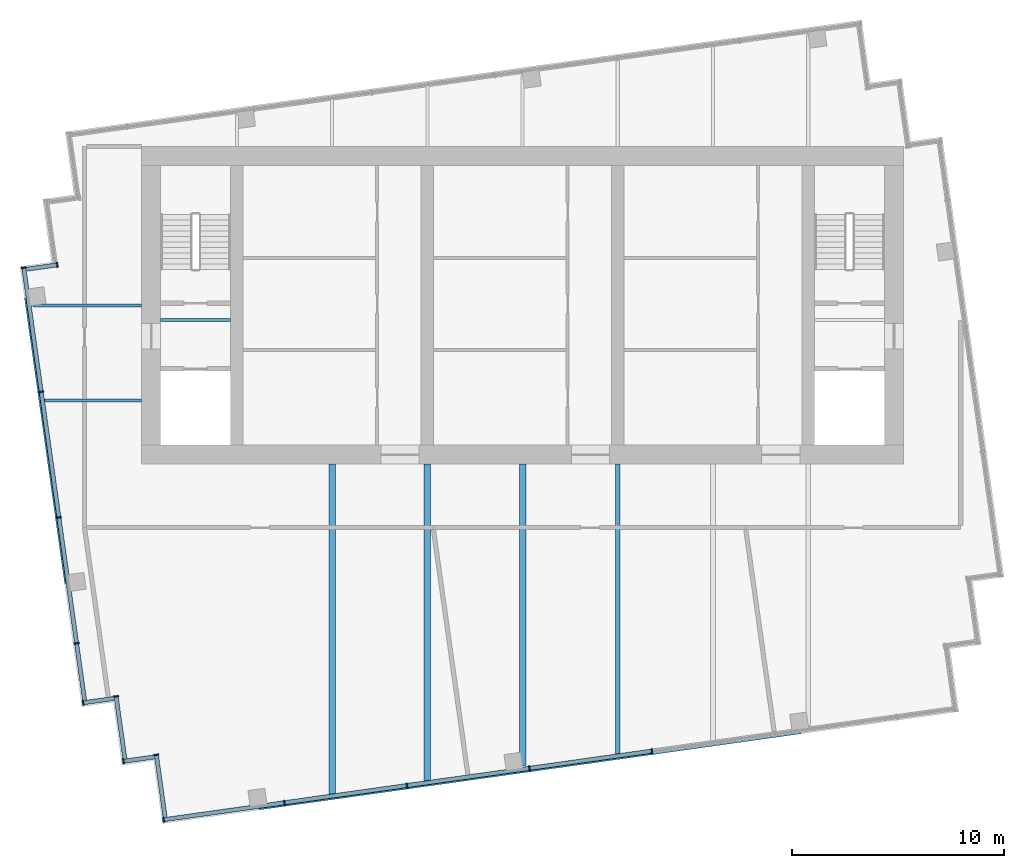
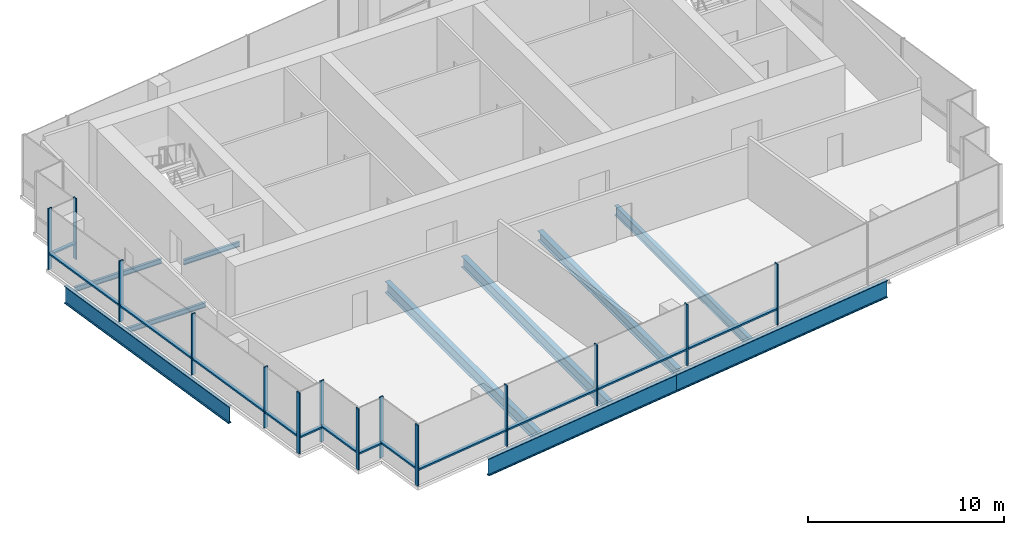
# One storey, part 2 of 9: 27 members, 10 beams, 7 elements without a shape of their own.
"""IFC4 building model written with IfcOpenShell, lengths in metres."""

from ifc_helpers import new_model, si_unit, direction, frame, origin, origin_2d, place, context, subcontext, project, spatial, rectangle, i_section, extrude, material, layer, layer_set, material_profile, profile_set, type_object, element, aggregate, save


model = new_model("IFC4")

# Units and contexts
model_context = context("Model", 3, precision=1e-05, world=origin(), true_north=direction((0.0, 1.0)))
body_context = subcontext(model_context, "Body", "Model", "MODEL_VIEW")
ifc_project = project(units=[si_unit("LENGTHUNIT", "METRE"), si_unit("AREAUNIT", "SQUARE_METRE"), si_unit("VOLUMEUNIT", "CUBIC_METRE"), si_unit("PLANEANGLEUNIT", "RADIAN"), si_unit("MASSUNIT", "GRAM", prefix="KILO")], contexts=[model_context])

# Site, building, storey
site_placement = place(None, origin())
site = spatial("IfcSite", under=ifc_project, at=site_placement, CompositionType="ELEMENT")
building_placement = place(site_placement, origin())
building = spatial("IfcBuilding", under=site, at=building_placement, Name="Rattan Terrace Tower", CompositionType="ELEMENT")
storey_placement = place(building_placement, frame((0.0, 0.0, 296.300048828125)))
storey = spatial("IfcBuildingStorey", under=building, at=storey_placement, Name="C02", CompositionType="ELEMENT", Elevation=296.300048828125)

# Beams
ifc_material_1 = material(Name="Steel S460", Category="steel")
ifc_material_profile_1 = material_profile(ifc_material_1, i_section(OverallWidth=0.179931640625, OverallDepth=1.10009765625, WebThickness=0.01611328125, FlangeThickness=0.050048828125, at=origin_2d()), Name="PG 1100x180-16-50")
ifc_profile_set_1 = profile_set([ifc_material_profile_1], Name="Steel S460")
beam_type_1 = type_object("IfcBeamType", Name="Frame edge girder PG 1100x180-16-50", PredefinedType="SPANDREL", material=ifc_profile_set_1)
beam_1_placement = place(storey_placement, frame((-12.45703125, -23.7509765625, -0.75), z_axis=(0.990268332234, 0.139171226104, 0.0), x_axis=(-0.139171226104, 0.990268332234, 0.0)))
element("IfcBeam", 1, at=beam_1_placement, inside=storey, type_object=beam_type_1, Name="gdr-C02-001", PredefinedType="SPANDREL", context=body_context, shape_type="SweptSolid", body=[
    extrude(i_section(OverallWidth=0.179931640625, OverallDepth=1.10009765625, WebThickness=0.01611328125, FlangeThickness=0.050048828125, at=origin_2d()), origin(), (0.0, 0.0, 1.0), 12.21484375),
])
beam_2_placement = place(storey_placement, frame((-0.361083984375, -22.051025390625, -0.75), z_axis=(0.990271390556, 0.139149462974, 0.0), x_axis=(-0.139149462974, 0.990271390556, 0.0)))
element("IfcBeam", 2, at=beam_2_placement, inside=storey, type_object=beam_type_1, Name="gdr-C02-002", PredefinedType="SPANDREL", context=body_context, shape_type="SweptSolid", body=[
    extrude(i_section(OverallWidth=0.179931640625, OverallDepth=1.10009765625, WebThickness=0.01611328125, FlangeThickness=0.050048828125, at=origin_2d()), origin(), (0.0, 0.0, 1.0), 13.632568359375),
])
beam_3_placement = place(storey_placement, frame((-23.448974609375, 0.361083984375, -0.75), z_axis=(0.139219709116, -0.990261517274, 0.0), x_axis=(0.990261517274, 0.139219709116, 0.0)))
element("IfcBeam", 3, at=beam_3_placement, inside=storey, type_object=beam_type_1, Name="gdr-C02-003", PredefinedType="SPANDREL", context=body_context, shape_type="SweptSolid", body=[
    extrude(i_section(OverallWidth=0.179931640625, OverallDepth=1.10009765625, WebThickness=0.01611328125, FlangeThickness=0.050048828125, at=origin_2d()), origin(), (0.0, 0.0, 1.0), 13.6328125),
])
ifc_material_2 = material(Name="Steel S355", Category="steel")
ifc_material_profile_2 = material_profile(ifc_material_2, i_section(OverallWidth=0.300048828125, OverallDepth=0.60009765625, WebThickness=0.015380859375, FlangeThickness=0.030029296875, FilletRadius=0.027099609375, at=origin_2d()), Name="HE 600 B")
ifc_profile_set_2 = profile_set([ifc_material_profile_2], Name="Steel S355")
beam_type_2 = type_object("IfcBeamType", Name="Frame floor beam HE 600 B", PredefinedType="JOIST", material=ifc_profile_set_2)
beam_4_placement = place(storey_placement, frame((0.0, -21.743896484375, -0.5), z_axis=(0.0, 1.0, 0.0), x_axis=(-1.0, 0.0, 0.0)))
element("IfcBeam", 4, at=beam_4_placement, inside=storey, type_object=beam_type_2, Name="bm-C02-005", PredefinedType="JOIST", context=body_context, shape_type="SweptSolid", body=[
    extrude(i_section(OverallWidth=0.300048828125, OverallDepth=0.60009765625, WebThickness=0.015380859375, FlangeThickness=0.030029296875, FilletRadius=0.027099609375, at=origin_2d()), origin(), (0.0, 0.0, 1.0), 14.243896484375),
])
ifc_material_3 = material(Name="Steel S355", Category="steel")
ifc_material_profile_3 = material_profile(ifc_material_3, i_section(OverallWidth=0.300048828125, OverallDepth=0.699951171875, WebThickness=0.01708984375, FlangeThickness=0.031982421875, FilletRadius=0.027099609375, at=origin_2d()), Name="HE 700 B")
ifc_profile_set_3 = profile_set([ifc_material_profile_3], Name="Steel S355")
beam_type_3 = type_object("IfcBeamType", Name="Frame floor beam HE 700 B", PredefinedType="JOIST", material=ifc_profile_set_3)
beam_5_placement = place(storey_placement, frame((-9.0, -23.174072265625, -0.550048828125), z_axis=(0.0, 1.0, 0.0), x_axis=(-1.0, 0.0, 0.0)))
element("IfcBeam", 5, at=beam_5_placement, inside=storey, type_object=beam_type_3, Name="bm-C02-003", PredefinedType="JOIST", context=body_context, shape_type="SweptSolid", body=[
    extrude(i_section(OverallWidth=0.300048828125, OverallDepth=0.699951171875, WebThickness=0.01708984375, FlangeThickness=0.031982421875, FilletRadius=0.027099609375, at=origin_2d()), origin(), (0.0, 0.0, 1.0), 15.674072265625),
])
beam_6_placement = place(storey_placement, frame((-4.5, -22.5419921875, -0.550048828125), z_axis=(0.0, 1.0, 0.0), x_axis=(-1.0, 0.0, 0.0)))
element("IfcBeam", 6, at=beam_6_placement, inside=storey, type_object=beam_type_3, Name="bm-C02-004", PredefinedType="JOIST", context=body_context, shape_type="SweptSolid", body=[
    extrude(i_section(OverallWidth=0.300048828125, OverallDepth=0.699951171875, WebThickness=0.01708984375, FlangeThickness=0.031982421875, FilletRadius=0.027099609375, at=origin_2d()), origin(), (0.0, 0.0, 1.0), 15.0419921875),
])
ifc_material_4 = material(Name="Steel S355", Category="steel")
ifc_material_profile_4 = material_profile(ifc_material_4, i_section(OverallWidth=0.14990234375, OverallDepth=0.300048828125, WebThickness=0.007080078125, FlangeThickness=0.0107421875, FilletRadius=0.014892578125, at=origin_2d()), Name="IPE 300")
ifc_profile_set_4 = profile_set([ifc_material_profile_4], Name="Steel S355")
beam_type_4 = type_object("IfcBeamType", Name="Frame floor beam IPE 300", PredefinedType="JOIST", material=ifc_profile_set_4)
beam_7_placement = place(storey_placement, frame((-17.10009765625, -0.695068359375, -0.35009765625), z_axis=(1.0, 0.0, 0.0), x_axis=(0.0, 1.0, 0.0)))
element("IfcBeam", 7, at=beam_7_placement, inside=storey, type_object=beam_type_4, Name="bm-C02-001", PredefinedType="JOIST", context=body_context, shape_type="SweptSolid", body=[
    extrude(i_section(OverallWidth=0.14990234375, OverallDepth=0.300048828125, WebThickness=0.007080078125, FlangeThickness=0.0107421875, FilletRadius=0.014892578125, at=origin_2d()), origin(), (0.0, 0.0, 1.0), 3.300048828125),
])
beam_8_placement = place(storey_placement, frame((-22.675048828125, -4.5, -0.35009765625), z_axis=(1.0, 0.0, 0.0), x_axis=(0.0, 1.0, 0.0)))
element("IfcBeam", 8, at=beam_8_placement, inside=storey, type_object=beam_type_4, Name="bm-C02-009", PredefinedType="JOIST", context=body_context, shape_type="SweptSolid", body=[
    extrude(i_section(OverallWidth=0.14990234375, OverallDepth=0.300048828125, WebThickness=0.007080078125, FlangeThickness=0.0107421875, FilletRadius=0.014892578125, at=origin_2d()), origin(), (0.0, 0.0, 1.0), 4.675048828125),
])
beam_9_placement = place(storey_placement, frame((-23.14111328125, 0.0, -0.35009765625), z_axis=(1.0, 0.0, 0.0), x_axis=(0.0, 1.0, 0.0)))
element("IfcBeam", 9, at=beam_9_placement, inside=storey, type_object=beam_type_4, Name="bm-C02-010", PredefinedType="JOIST", context=body_context, shape_type="SweptSolid", body=[
    extrude(i_section(OverallWidth=0.14990234375, OverallDepth=0.300048828125, WebThickness=0.007080078125, FlangeThickness=0.0107421875, FilletRadius=0.014892578125, at=origin_2d()), origin(), (0.0, 0.0, 1.0), 5.14111328125),
])
ifc_material_5 = material(Name="Steel S355", Category="steel")
ifc_material_profile_5 = material_profile(ifc_material_5, i_section(OverallWidth=0.22412109375, OverallDepth=0.610107421875, WebThickness=0.014892578125, FlangeThickness=0.02392578125, FilletRadius=0.02392578125, at=origin_2d()), Name="IPE O 600")
ifc_profile_set_5 = profile_set([ifc_material_profile_5], Name="Steel S355")
beam_type_5 = type_object("IfcBeamType", Name="Frame floor beam IPE O 600", PredefinedType="JOIST", material=ifc_profile_set_5)
beam_10_placement = place(storey_placement, frame((4.5, -21.277099609375, -0.505126953125), z_axis=(0.0, 1.0, 0.0), x_axis=(-1.0, 0.0, 0.0)))
element("IfcBeam", 10, at=beam_10_placement, inside=storey, type_object=beam_type_5, Name="bm-C02-006", PredefinedType="JOIST", context=body_context, shape_type="SweptSolid", body=[
    extrude(i_section(OverallWidth=0.22412109375, OverallDepth=0.610107421875, WebThickness=0.014892578125, FlangeThickness=0.02392578125, FilletRadius=0.02392578125, at=origin_2d()), origin(), (0.0, 0.0, 1.0), 13.777099609375),
])

# Curtain wall, members
ifc_material_6 = material(Name="Aluminium and laminated glass", Category="aluminium")
ifc_layer = layer(ifc_material_6, 0.239990234375)
ifc_layer_set = layer_set([ifc_layer], Name="Lantern Stick Curtain Wall")
curtain_wall_type = type_object("IfcCurtainWallType", Name="Lantern Stick Curtain Wall", PredefinedType="NOTDEFINED", material=ifc_layer_set)
curtain_wall_1_placement = place(storey_placement, origin())
curtain_wall_1 = element("IfcCurtainWall", 11, at=curtain_wall_1_placement, inside=storey, type_object=curtain_wall_type, Name="Lantern curtain wall C02-1", PredefinedType="NOTDEFINED")
ifc_material_7 = material(Name="Aluminium", Category="aluminium")
ifc_material_profile_6 = material_profile(ifc_material_7, rectangle(XDim=0.070068359375, YDim=0.239990234375, at=origin_2d()), Name="Aluminium 70x240")
ifc_profile_set_6 = profile_set([ifc_material_profile_6], Name="Aluminium")
member_type_1 = type_object("IfcMemberType", Name="Lantern CW Mullion 70x240", PredefinedType="MULLION", material=ifc_profile_set_6)
member_1_placement = place(storey_placement, frame((-23.56689453125, 1.776611328125, 0.0), z_axis=(0.0, 0.0, 1.0), x_axis=(0.139187707455, -0.990266015823, 0.0)))
member_1 = element("IfcMember", 12, at=member_1_placement, type_object=member_type_1, Name="Mullion cwl-C02-001.1", PredefinedType="MULLION", context=body_context, shape_type="SweptSolid", body=[
    extrude(rectangle(XDim=0.070068359375, YDim=0.239990234375, at=origin_2d()), origin(), (0.0, 0.0, 1.0), 3.800048828125),
])
member_2_placement = place(storey_placement, frame((-22.74365234375, -4.080810546875, 0.0), z_axis=(0.0, 0.0, 1.0), x_axis=(0.139187707455, -0.990266015823, 0.0)))
member_2 = element("IfcMember", 13, at=member_2_placement, type_object=member_type_1, Name="Mullion cwl-C02-001.2", PredefinedType="MULLION", context=body_context, shape_type="SweptSolid", body=[
    extrude(rectangle(XDim=0.070068359375, YDim=0.239990234375, at=origin_2d()), origin(), (0.0, 0.0, 1.0), 3.800048828125),
])
member_3_placement = place(storey_placement, frame((-21.908447265625, -10.0224609375, 0.0), z_axis=(0.0, 0.0, 1.0), x_axis=(0.139187707455, -0.990266015823, 0.0)))
member_3 = element("IfcMember", 14, at=member_3_placement, type_object=member_type_1, Name="Mullion cwl-C02-001.3", PredefinedType="MULLION", context=body_context, shape_type="SweptSolid", body=[
    extrude(rectangle(XDim=0.070068359375, YDim=0.239990234375, at=origin_2d()), origin(), (0.0, 0.0, 1.0), 3.800048828125),
])
member_4_placement = place(storey_placement, frame((-21.0732421875, -15.964111328125, 0.0), z_axis=(0.0, 0.0, 1.0), x_axis=(0.139187707455, -0.990266015823, 0.0)))
member_4 = element("IfcMember", 15, at=member_4_placement, type_object=member_type_1, Name="Mullion cwl-C02-001.4", PredefinedType="MULLION", context=body_context, shape_type="SweptSolid", body=[
    extrude(rectangle(XDim=0.070068359375, YDim=0.239990234375, at=origin_2d()), origin(), (0.0, 0.0, 1.0), 3.800048828125),
])

# Curtain wall, member
curtain_wall_2_placement = place(storey_placement, origin())
curtain_wall_2 = element("IfcCurtainWall", 16, at=curtain_wall_2_placement, inside=storey, type_object=curtain_wall_type, Name="Lantern curtain wall C02-2", PredefinedType="NOTDEFINED")
member_5_placement = place(storey_placement, frame((-20.763427734375, -18.77880859375, 0.0), z_axis=(0.0, 0.0, 1.0), x_axis=(0.990227803001, 0.139459306479, 0.0)))
member_5 = element("IfcMember", 17, at=member_5_placement, type_object=member_type_1, Name="Mullion cwl-C02-002.1", PredefinedType="MULLION", context=body_context, shape_type="SweptSolid", body=[
    extrude(rectangle(XDim=0.070068359375, YDim=0.239990234375, at=origin_2d()), origin(), (0.0, 0.0, 1.0), 3.800048828125),
])

curtain_wall_3_placement = place(storey_placement, origin())
curtain_wall_3 = element("IfcCurtainWall", 18, at=curtain_wall_3_placement, inside=storey, type_object=curtain_wall_type, Name="Lantern curtain wall C02-3", PredefinedType="NOTDEFINED")
member_6_placement = place(storey_placement, frame((-19.207275390625, -18.473876953125, 0.0), z_axis=(0.0, 0.0, 1.0), x_axis=(0.139555918709, -0.990214191755, 0.0)))
member_6 = element("IfcMember", 19, at=member_6_placement, type_object=member_type_1, Name="Mullion cwl-C02-003.1", PredefinedType="MULLION", context=body_context, shape_type="SweptSolid", body=[
    extrude(rectangle(XDim=0.070068359375, YDim=0.239990234375, at=origin_2d()), origin(), (0.0, 0.0, 1.0), 3.800048828125),
])

curtain_wall_4_placement = place(storey_placement, origin())
curtain_wall_4 = element("IfcCurtainWall", 20, at=curtain_wall_4_placement, inside=storey, type_object=curtain_wall_type, Name="Lantern curtain wall C02-4", PredefinedType="NOTDEFINED")
member_7_placement = place(storey_placement, frame((-18.860595703125, -21.54296875, 0.0), z_axis=(0.0, 0.0, 1.0), x_axis=(0.990319742912, 0.13880492354, 0.0)))
member_7 = element("IfcMember", 21, at=member_7_placement, type_object=member_type_1, Name="Mullion cwl-C02-004.1", PredefinedType="MULLION", context=body_context, shape_type="SweptSolid", body=[
    extrude(rectangle(XDim=0.070068359375, YDim=0.239990234375, at=origin_2d()), origin(), (0.0, 0.0, 1.0), 3.800048828125),
])

curtain_wall_5_placement = place(storey_placement, origin())
curtain_wall_5 = element("IfcCurtainWall", 22, at=curtain_wall_5_placement, inside=storey, type_object=curtain_wall_type, Name="Lantern curtain wall C02-5", PredefinedType="NOTDEFINED")
member_8_placement = place(storey_placement, frame((-17.30419921875, -21.239013671875, 0.0), z_axis=(0.0, 0.0, 1.0), x_axis=(0.139413247769, -0.990234288614, 0.0)))
member_8 = element("IfcMember", 23, at=member_8_placement, type_object=member_type_1, Name="Mullion cwl-C02-005.1", PredefinedType="MULLION", context=body_context, shape_type="SweptSolid", body=[
    extrude(rectangle(XDim=0.070068359375, YDim=0.239990234375, at=origin_2d()), origin(), (0.0, 0.0, 1.0), 3.800048828125),
])

# Curtain wall, members
curtain_wall_6_placement = place(storey_placement, origin())
curtain_wall_6 = element("IfcCurtainWall", 24, at=curtain_wall_6_placement, inside=storey, type_object=curtain_wall_type, Name="Lantern curtain wall C02-6", PredefinedType="NOTDEFINED")
member_9_placement = place(storey_placement, frame((-16.95849609375, -24.3037109375, 0.0), z_axis=(0.0, 0.0, 1.0), x_axis=(0.990266952226, 0.13918104515, 0.0)))
member_9 = element("IfcMember", 25, at=member_9_placement, type_object=member_type_1, Name="Mullion cwl-C02-006.1", PredefinedType="MULLION", context=body_context, shape_type="SweptSolid", body=[
    extrude(rectangle(XDim=0.070068359375, YDim=0.239990234375, at=origin_2d()), origin(), (0.0, 0.0, 1.0), 3.800048828125),
])
member_10_placement = place(storey_placement, frame((-11.253662109375, -23.501953125, 0.0), z_axis=(0.0, 0.0, 1.0), x_axis=(0.990266952226, 0.13918104515, 0.0)))
member_10 = element("IfcMember", 26, at=member_10_placement, type_object=member_type_1, Name="Mullion cwl-C02-006.2", PredefinedType="MULLION", context=body_context, shape_type="SweptSolid", body=[
    extrude(rectangle(XDim=0.070068359375, YDim=0.239990234375, at=origin_2d()), origin(), (0.0, 0.0, 1.0), 3.800048828125),
])
member_11_placement = place(storey_placement, frame((-5.464599609375, -22.6884765625, 0.0), z_axis=(0.0, 0.0, 1.0), x_axis=(0.990266952226, 0.13918104515, 0.0)))
member_11 = element("IfcMember", 27, at=member_11_placement, type_object=member_type_1, Name="Mullion cwl-C02-006.3", PredefinedType="MULLION", context=body_context, shape_type="SweptSolid", body=[
    extrude(rectangle(XDim=0.070068359375, YDim=0.239990234375, at=origin_2d()), origin(), (0.0, 0.0, 1.0), 3.800048828125),
])
member_12_placement = place(storey_placement, frame((0.32470703125, -21.874755859375, 0.0), z_axis=(0.0, 0.0, 1.0), x_axis=(0.990266952226, 0.13918104515, 0.0)))
member_12 = element("IfcMember", 28, at=member_12_placement, type_object=member_type_1, Name="Mullion cwl-C02-006.4", PredefinedType="MULLION", context=body_context, shape_type="SweptSolid", body=[
    extrude(rectangle(XDim=0.070068359375, YDim=0.239990234375, at=origin_2d()), origin(), (0.0, 0.0, 1.0), 3.800048828125),
])
member_13_placement = place(storey_placement, frame((6.11376953125, -21.06103515625, 0.0), z_axis=(0.0, 0.0, 1.0), x_axis=(0.990266952226, 0.13918104515, 0.0)))
member_13 = element("IfcMember", 29, at=member_13_placement, type_object=member_type_1, Name="Mullion cwl-C02-006.5", PredefinedType="MULLION", context=body_context, shape_type="SweptSolid", body=[
    extrude(rectangle(XDim=0.070068359375, YDim=0.239990234375, at=origin_2d()), origin(), (0.0, 0.0, 1.0), 3.800048828125),
])

# Curtain wall, member
curtain_wall_7_placement = place(storey_placement, origin())
curtain_wall_7 = element("IfcCurtainWall", 30, at=curtain_wall_7_placement, inside=storey, type_object=curtain_wall_type, Name="Lantern curtain wall C02-20", PredefinedType="NOTDEFINED")
member_14_placement = place(storey_placement, frame((-21.98486328125, 1.9130859375, 0.0), z_axis=(0.0, 0.0, 1.0), x_axis=(-0.99025370695, -0.139275252184, 0.0)))
member_14 = element("IfcMember", 31, at=member_14_placement, type_object=member_type_1, Name="Mullion cwl-C02-020.1", PredefinedType="MULLION", context=body_context, shape_type="SweptSolid", body=[
    extrude(rectangle(XDim=0.070068359375, YDim=0.239990234375, at=origin_2d()), origin(), (0.0, 0.0, 1.0), 3.800048828125),
])

# Member
ifc_material_8 = material(Name="Aluminium", Category="aluminium")
ifc_material_profile_7 = material_profile(ifc_material_8, rectangle(XDim=0.199951171875, YDim=0.10009765625, at=origin_2d()), Name="Aluminium 200x100")
ifc_profile_set_7 = profile_set([ifc_material_profile_7], Name="Aluminium")
member_type_2 = type_object("IfcMemberType", Name="Lantern CW Transom 200x100", PredefinedType="USERDEFINED", material=ifc_profile_set_7)
member_15_placement = place(storey_placement, frame((-23.56201171875, 1.741943359375, 1.0), z_axis=(0.139216432116, -0.990261977978, 0.0), x_axis=(0.990261977978, 0.139216432116, 0.0)))
member_15 = element("IfcMember", 32, at=member_15_placement, type_object=member_type_2, Name="Transom cwl-C02-001.1", ObjectType="TRANSOM", PredefinedType="USERDEFINED", context=body_context, shape_type="SweptSolid", body=[
    extrude(rectangle(XDim=0.199951171875, YDim=0.10009765625, at=origin_2d()), origin(), (0.0, 0.0, 1.0), 5.844970703125),
])

member_16_placement = place(storey_placement, frame((-22.73876953125, -4.115478515625, 1.0), z_axis=(0.139196165956, -0.990264826894, 0.0), x_axis=(0.990264826894, 0.139196165956, 0.0)))
member_16 = element("IfcMember", 33, at=member_16_placement, type_object=member_type_2, Name="Transom cwl-C02-001.2", ObjectType="TRANSOM", PredefinedType="USERDEFINED", context=body_context, shape_type="SweptSolid", body=[
    extrude(rectangle(XDim=0.199951171875, YDim=0.10009765625, at=origin_2d()), origin(), (0.0, 0.0, 1.0), 5.929931640625),
])

member_17_placement = place(storey_placement, frame((-21.903564453125, -10.05712890625, 1.0), z_axis=(0.139196165956, -0.990264826894, 0.0), x_axis=(0.990264826894, 0.139196165956, 0.0)))
member_17 = element("IfcMember", 34, at=member_17_placement, type_object=member_type_2, Name="Transom cwl-C02-001.3", ObjectType="TRANSOM", PredefinedType="USERDEFINED", context=body_context, shape_type="SweptSolid", body=[
    extrude(rectangle(XDim=0.199951171875, YDim=0.10009765625, at=origin_2d()), origin(), (0.0, 0.0, 1.0), 5.929931640625),
])

member_18_placement = place(storey_placement, frame((-21.068359375, -15.998779296875, 1.0), z_axis=(0.139159755343, -0.990269944254, 0.0), x_axis=(0.990269944254, 0.139159755343, 0.0)))
member_18 = element("IfcMember", 35, at=member_18_placement, type_object=member_type_2, Name="Transom cwl-C02-001.4", ObjectType="TRANSOM", PredefinedType="USERDEFINED", context=body_context, shape_type="SweptSolid", body=[
    extrude(rectangle(XDim=0.199951171875, YDim=0.10009765625, at=origin_2d()), origin(), (0.0, 0.0, 1.0), 2.675537109375),
])

aggregate(curtain_wall_1, [member_1, member_2, member_3, member_4, member_15, member_16, member_17, member_18])

member_19_placement = place(storey_placement, frame((-20.728759765625, -18.77392578125, 1.0), z_axis=(0.990227834808, 0.139459080636, 0.0), x_axis=(-0.139459080636, 0.990227834808, 0.0)))
member_19 = element("IfcMember", 36, at=member_19_placement, type_object=member_type_2, Name="Transom cwl-C02-002.1", ObjectType="TRANSOM", PredefinedType="USERDEFINED", context=body_context, shape_type="SweptSolid", body=[
    extrude(rectangle(XDim=0.199951171875, YDim=0.10009765625, at=origin_2d()), origin(), (0.0, 0.0, 1.0), 1.428466796875),
])

aggregate(curtain_wall_2, [member_5, member_19])

member_20_placement = place(storey_placement, frame((-19.202392578125, -18.508544921875, 1.0), z_axis=(0.139532909028, -0.990217434354, 0.0), x_axis=(0.990217434354, 0.139532909028, 0.0)))
member_20 = element("IfcMember", 37, at=member_20_placement, type_object=member_type_2, Name="Transom cwl-C02-003.1", ObjectType="TRANSOM", PredefinedType="USERDEFINED", context=body_context, shape_type="SweptSolid", body=[
    extrude(rectangle(XDim=0.199951171875, YDim=0.10009765625, at=origin_2d()), origin(), (0.0, 0.0, 1.0), 2.9326171875),
])

aggregate(curtain_wall_3, [member_6, member_20])

member_21_placement = place(storey_placement, frame((-18.825927734375, -21.5380859375, 1.0), z_axis=(0.990301815941, 0.13893276555, 0.0), x_axis=(-0.13893276555, 0.990301815941, 0.0)))
member_21 = element("IfcMember", 38, at=member_21_placement, type_object=member_type_2, Name="Transom cwl-C02-004.1", ObjectType="TRANSOM", PredefinedType="USERDEFINED", context=body_context, shape_type="SweptSolid", body=[
    extrude(rectangle(XDim=0.199951171875, YDim=0.10009765625, at=origin_2d()), origin(), (0.0, 0.0, 1.0), 1.4287109375),
])

aggregate(curtain_wall_4, [member_7, member_21])

member_22_placement = place(storey_placement, frame((-17.29931640625, -21.2734375, 1.0), z_axis=(0.139401737802, -0.990235909013, 0.0), x_axis=(0.990235909013, 0.139401737802, 0.0)))
member_22 = element("IfcMember", 39, at=member_22_placement, type_object=member_type_2, Name="Transom cwl-C02-005.1", ObjectType="TRANSOM", PredefinedType="USERDEFINED", context=body_context, shape_type="SweptSolid", body=[
    extrude(rectangle(XDim=0.199951171875, YDim=0.10009765625, at=origin_2d()), origin(), (0.0, 0.0, 1.0), 2.92822265625),
])

aggregate(curtain_wall_5, [member_8, member_22])

member_23_placement = place(storey_placement, frame((-16.923828125, -24.299072265625, 1.0), z_axis=(0.990262771001, 0.139210791141, 0.0), x_axis=(-0.139210791141, 0.990262771001, 0.0)))
member_23 = element("IfcMember", 40, at=member_23_placement, type_object=member_type_2, Name="Transom cwl-C02-006.1", ObjectType="TRANSOM", PredefinedType="USERDEFINED", context=body_context, shape_type="SweptSolid", body=[
    extrude(rectangle(XDim=0.199951171875, YDim=0.10009765625, at=origin_2d()), origin(), (0.0, 0.0, 1.0), 5.69091796875),
])

member_24_placement = place(storey_placement, frame((-11.218994140625, -23.4970703125, 1.0), z_axis=(0.990265684123, 0.139190067348, 0.0), x_axis=(-0.139190067348, 0.990265684123, 0.0)))
member_24 = element("IfcMember", 41, at=member_24_placement, type_object=member_type_2, Name="Transom cwl-C02-006.2", ObjectType="TRANSOM", PredefinedType="USERDEFINED", context=body_context, shape_type="SweptSolid", body=[
    extrude(rectangle(XDim=0.199951171875, YDim=0.10009765625, at=origin_2d()), origin(), (0.0, 0.0, 1.0), 5.77587890625),
])

member_25_placement = place(storey_placement, frame((-5.429931640625, -22.68359375, 1.0), z_axis=(0.990266502976, 0.139184241508, 0.0), x_axis=(-0.139184241508, 0.990266502976, 0.0)))
member_25 = element("IfcMember", 42, at=member_25_placement, type_object=member_type_2, Name="Transom cwl-C02-006.3", ObjectType="TRANSOM", PredefinedType="USERDEFINED", context=body_context, shape_type="SweptSolid", body=[
    extrude(rectangle(XDim=0.199951171875, YDim=0.10009765625, at=origin_2d()), origin(), (0.0, 0.0, 1.0), 5.776123046875),
])

member_26_placement = place(storey_placement, frame((0.359375, -21.869873046875, 1.0), z_axis=(0.990265684123, 0.139190067348, 0.0), x_axis=(-0.139190067348, 0.990265684123, 0.0)))
member_26 = element("IfcMember", 43, at=member_26_placement, type_object=member_type_2, Name="Transom cwl-C02-006.4", ObjectType="TRANSOM", PredefinedType="USERDEFINED", context=body_context, shape_type="SweptSolid", body=[
    extrude(rectangle(XDim=0.199951171875, YDim=0.10009765625, at=origin_2d()), origin(), (0.0, 0.0, 1.0), 5.77587890625),
])

aggregate(curtain_wall_6, [member_9, member_10, member_11, member_12, member_13, member_23, member_24, member_25, member_26])

member_27_placement = place(storey_placement, frame((-22.01953125, 1.908203125, 1.0), z_axis=(-0.990257681856, -0.139246987488, 0.0), x_axis=(0.139246987488, -0.990257681856, 0.0)))
member_27 = element("IfcMember", 44, at=member_27_placement, type_object=member_type_2, Name="Transom cwl-C02-020.1", ObjectType="TRANSOM", PredefinedType="USERDEFINED", context=body_context, shape_type="SweptSolid", body=[
    extrude(rectangle(XDim=0.199951171875, YDim=0.10009765625, at=origin_2d()), origin(), (0.0, 0.0, 1.0), 1.4306640625),
])

aggregate(curtain_wall_7, [member_14, member_27])

save(model, "model.ifc")
